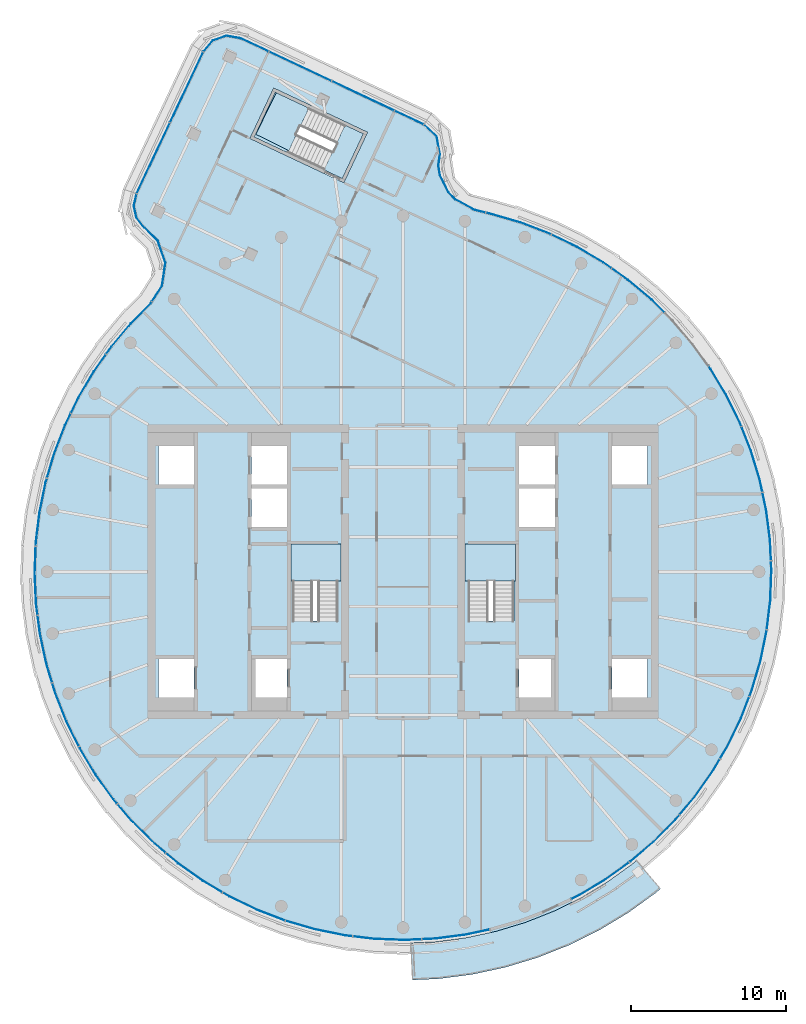
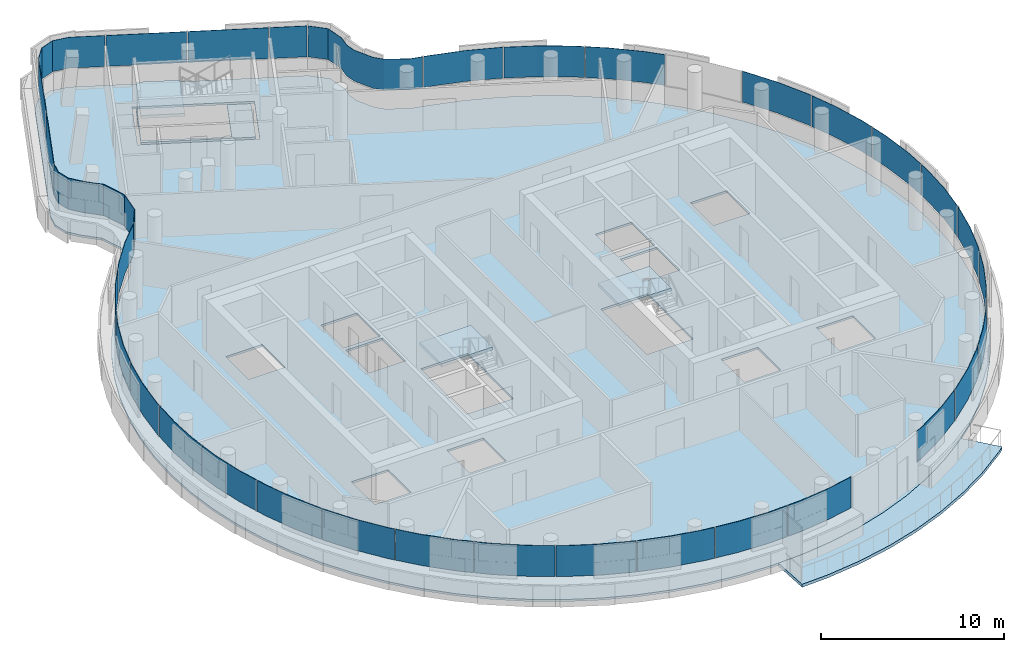
# One storey, part 12 of 21: 34 plates, 6 slabs, 6 elements without a shape of their own.
"""IFC4 building model written with IfcOpenShell, lengths in metres."""

from ifc_helpers import new_model, si_unit, direction, frame, origin, place, context, subcontext, project, spatial, polyline, outline, extrude, material, layer, layer_set, type_object, element, aggregate, save


model = new_model("IFC4")

# Units and contexts
model_context = context("Model", 3, precision=1e-05, world=origin(), true_north=direction((0.0, 1.0)))
body_context = subcontext(model_context, "Body", "Model", "MODEL_VIEW")
ifc_project = project(units=[si_unit("LENGTHUNIT", "METRE"), si_unit("AREAUNIT", "SQUARE_METRE"), si_unit("VOLUMEUNIT", "CUBIC_METRE"), si_unit("PLANEANGLEUNIT", "RADIAN"), si_unit("MASSUNIT", "GRAM", prefix="KILO")], contexts=[model_context])

# Site, building, storey
site_placement = place(None, origin())
site = spatial("IfcSite", under=ifc_project, at=site_placement, CompositionType="ELEMENT")
building_placement = place(site_placement, origin())
building = spatial("IfcBuilding", under=site, at=building_placement, Name="Tamarind Cross Interchange Tower", CompositionType="ELEMENT")
storey_placement = place(building_placement, frame((0.0, 0.0, 267.60009765625)))
storey = spatial("IfcBuildingStorey", under=building, at=storey_placement, Name="L68", CompositionType="ELEMENT", Elevation=267.60009765625)

# Slabs
ifc_material_1 = material(Name="Precast concrete C40", Category="concrete")
ifc_layer_1 = layer(ifc_material_1, 0.199951171875)
ifc_layer_set_1 = layer_set([ifc_layer_1], Name="Precast concrete C40")
slab_type_1 = type_object("IfcSlabType", Name="Balcony slab", PredefinedType="BASESLAB", material=ifc_layer_set_1)
slab_1_placement = place(storey_placement, frame((0.0, 0.0, -0.2001953125)))
element("IfcSlab", 1, at=slab_1_placement, inside=storey, type_object=slab_type_1, Name="SLB-L68-BAL01", PredefinedType="BASESLAB", context=body_context, shape_type="SweptSolid", body=[
    extrude(outline(polyline([(0.504638671875, -23.977294921875), (2.08447265625, -23.9052734375), (4.051513671875, -23.6513671875), (5.99072265625, -23.236083984375), (7.88916015625, -22.662109375), (9.733642578125, -21.93310546875), (11.511474609375, -21.054443359375), (13.2109375, -20.031982421875), (14.820068359375, -18.87255859375), (15.064208984375, -18.663818359375), (16.623291015625, -20.488525390625), (16.303466796875, -20.76171875), (14.533203125, -22.037109375), (12.663818359375, -23.162109375), (10.7080078125, -24.128662109375), (8.6787109375, -24.9306640625), (6.59033203125, -25.56201171875), (4.45703125, -26.01904296875), (2.293212890625, -26.298095703125), (0.6142578125, -26.375), (0.504638671875, -23.977294921875)])), origin(), (0.0, 0.0, 1.0), 0.2001953125),
])
ifc_material_2 = material(Name="Concrete C35", Category="concrete")
ifc_layer_2 = layer(ifc_material_2, 0.139892578125)
ifc_layer_set_2 = layer_set([ifc_layer_2], Name="Concrete C35")
slab_type_2 = type_object("IfcSlabType", Name="Composite slab 140 Concrete C35", PredefinedType="FLOOR", material=ifc_layer_set_2)
slab_2_placement = place(storey_placement, frame((0.0, 0.0, -0.14013671875)))
element("IfcSlab", 2, at=slab_2_placement, inside=storey, type_object=slab_type_2, Name="Floor slab L68", PredefinedType="FLOOR", context=body_context, shape_type="SweptSolid", body=[
    extrude(outline(polyline([(2.3642578125, 28.193115234375), (1.45703125, 29.051513671875), (-10.4130859375, 34.642578125), (-11.431884765625, 34.826416015625), (-12.40625, 34.476318359375), (-13.07470703125, 33.685791015625), (-17.407470703125, 24.4873046875), (-17.59814453125, 23.6279296875), (-17.4013671875, 22.77001953125), (-16.855224609375, 22.07958984375), (-16.014404296875, 21.25732421875), (-15.556884765625, 19.93359375), (-15.7607421875, 18.548095703125), (-16.459716796875, 17.452392578125), (-17.72412109375, 16.17578125), (-18.99951171875, 14.656982421875), (-20.14501953125, 13.0380859375), (-21.15283203125, 11.329833984375), (-22.01611328125, 9.54443359375), (-22.72900390625, 7.693603515625), (-23.286865234375, 5.79052734375), (-23.685546875, 3.84765625), (-23.92236328125, 1.878662109375), (-23.99560546875, -0.103271484375), (-23.9052734375, -2.08447265625), (-23.651611328125, -4.051513671875), (-23.236083984375, -5.99072265625), (-22.662109375, -7.88916015625), (-21.93310546875, -9.7333984375), (-21.054443359375, -11.511474609375), (-20.031982421875, -13.2109375), (-18.87255859375, -14.820068359375), (-17.584228515625, -16.327880859375), (-16.17578125, -17.72412109375), (-14.656982421875, -18.99951171875), (-13.0380859375, -20.14501953125), (-11.329833984375, -21.15283203125), (-9.54443359375, -22.01611328125), (-7.693603515625, -22.72900390625), (-5.79052734375, -23.286865234375), (-3.84765625, -23.685546875), (-1.878662109375, -23.92236328125), (0.103271484375, -23.99560546875), (2.08447265625, -23.9052734375), (4.051513671875, -23.651611328125), (5.99072265625, -23.236083984375), (7.88916015625, -22.662109375), (9.7333984375, -21.93310546875), (11.511474609375, -21.054443359375), (13.2109375, -20.031982421875), (14.820068359375, -18.87255859375), (16.327880859375, -17.584228515625), (17.72412109375, -16.17578125), (18.99951171875, -14.656982421875), (20.14501953125, -13.0380859375), (21.15283203125, -11.329833984375), (22.01611328125, -9.54443359375), (22.72900390625, -7.693603515625), (23.286865234375, -5.79052734375), (23.685546875, -3.84765625), (23.92236328125, -1.878662109375), (23.99560546875, 0.103271484375), (23.9052734375, 2.08447265625), (23.651611328125, 4.051513671875), (23.236083984375, 5.99072265625), (22.662109375, 7.88916015625), (21.93310546875, 9.7333984375), (21.054443359375, 11.511474609375), (20.031982421875, 13.2109375), (18.87255859375, 14.820068359375), (17.584228515625, 16.327880859375), (16.17578125, 17.72412109375), (14.656982421875, 18.99951171875), (13.0380859375, 20.14501953125), (11.329833984375, 21.15283203125), (9.54443359375, 22.01611328125), (7.693603515625, 22.72900390625), (5.79052734375, 23.286865234375), (4.656982421875, 23.570068359375), (3.500244140625, 24.213134765625), (3.100341796875, 24.631591796875), (2.578369140625, 25.68017578125), (2.4853515625, 26.25146484375), (2.58544921875, 26.964111328125), (2.3642578125, 28.193115234375)]), holes=[polyline([(-13.5, -5.625), (-13.5, -8.125), (-15.800048828125, -8.125), (-15.800048828125, -5.625), (-13.5, -5.625)]), polyline([(-7.5, -5.625), (-7.5, -8.125), (-9.800048828125, -8.125), (-9.800048828125, -5.625), (-7.5, -5.625)]), polyline([(-7.14990234375, 1.800048828125), (-4.199951171875, 1.800048828125), (-4.199951171875, -3.18798828125), (-7.14990234375, -3.18798828125), (-7.14990234375, 1.800048828125)]), polyline([(-7.5, 5.375), (-7.5, 2.875), (-9.800048828125, 2.875), (-9.800048828125, 5.375), (-7.5, 5.375)]), polyline([(-13.5, 8.125), (-13.5, 5.625), (-15.800048828125, 5.625), (-15.800048828125, 8.125), (-13.5, 8.125)]), polyline([(-7.5, 8.125), (-7.5, 5.625), (-9.800048828125, 5.625), (-9.800048828125, 8.125), (-7.5, 8.125)]), polyline([(-9.89208984375, 27.986083984375), (-9.806884765625, 28.1669921875), (-8.443359375, 31.06201171875), (-8.358154296875, 31.242919921875), (-8.099609375, 31.12109375), (-8.097412109375, 31.1259765625), (-7.837646484375, 30.997802734375), (-2.296875, 28.3876953125), (-2.382080078125, 28.206787109375), (-3.745849609375, 25.31201171875), (-3.8310546875, 25.131103515625), (-9.89208984375, 27.986083984375)]), polyline([(7.5, -8.125), (7.5, -5.625), (9.800048828125, -5.625), (9.800048828125, -8.125), (7.5, -8.125)]), polyline([(13.5, -8.125), (13.5, -5.625), (15.800048828125, -5.625), (15.800048828125, -8.125), (13.5, -8.125)]), polyline([(4.199951171875, 1.800048828125), (7.14990234375, 1.800048828125), (7.14990234375, -3.18798828125), (4.199951171875, -3.18798828125), (4.199951171875, 1.800048828125)]), polyline([(7.5, 2.875), (7.5, 5.375), (9.800048828125, 5.375), (9.800048828125, 2.875), (7.5, 2.875)]), polyline([(7.5, 5.625), (7.5, 8.125), (9.800048828125, 8.125), (9.800048828125, 5.625), (7.5, 5.625)]), polyline([(13.5, 5.625), (13.5, 8.125), (15.800048828125, 8.125), (15.800048828125, 5.625), (13.5, 5.625)])]), origin(), (0.0, 0.0, 1.0), 0.14013671875),
])
slab_3_placement = place(storey_placement, frame((0.0, 0.0, -0.14013671875)))
element("IfcSlab", 3, at=slab_3_placement, inside=storey, type_object=slab_type_2, Name="Floor slab L68", PredefinedType="FLOOR", context=body_context, shape_type="SweptSolid", body=[
    extrude(outline(polyline([(-8.262451171875, 30.976806640625), (-9.626220703125, 28.081787109375), (-3.9267578125, 25.397216796875), (-2.56298828125, 28.2919921875), (-3.75, 28.851318359375), (-5.064453125, 26.060546875), (-9.513671875, 28.25634765625), (-8.188232421875, 30.94189453125), (-8.262451171875, 30.976806640625)])), origin(), (0.0, 0.0, 1.0), 0.14013671875),
])

# Stair, slab
ifc_material_3 = material(Name="Exit stair")
stair_type = type_object("IfcStairType", Name="Exit stair", PredefinedType="HALF_TURN_STAIR", material=ifc_material_3)
stair_1_placement = place(storey_placement, origin())
stair_1 = element("IfcStair", 4, at=stair_1_placement, inside=storey, type_object=stair_type, Name="L68 exit stair ST1", PredefinedType="HALF_TURN_STAIR")
ifc_material_4 = material(Name="Concrete C40", Category="concrete")
ifc_layer_3 = layer(ifc_material_4, 0.199951171875)
ifc_layer_set_3 = layer_set([ifc_layer_3], Name="Concrete C40")
slab_type_3 = type_object("IfcSlabType", Name="Stair landing", PredefinedType="LANDING", material=ifc_layer_set_3)
slab_4_placement = place(storey_placement, frame((0.0, 0.0, 1.599853515625)))
slab_4 = element("IfcSlab", 5, at=slab_4_placement, type_object=slab_type_3, Name="ST1 landing 1", PredefinedType="LANDING", context=body_context, shape_type="SweptSolid", body=[
    extrude(outline(polyline([(-4.0, -0.60009765625), (-4.0, 1.800048828125), (-7.25, 1.800048828125), (-7.25, -0.60009765625), (-4.0, -0.60009765625)])), origin(), (0.0, 0.0, 1.0), 0.199951171875),
])
aggregate(stair_1, [slab_4])

stair_2_placement = place(storey_placement, origin())
stair_2 = element("IfcStair", 6, at=stair_2_placement, inside=storey, type_object=stair_type, Name="L68 exit stair ST2", PredefinedType="HALF_TURN_STAIR")
slab_5_placement = place(storey_placement, frame((0.0, 0.0, 1.599853515625)))
slab_5 = element("IfcSlab", 7, at=slab_5_placement, type_object=slab_type_3, Name="ST2 landing 1", PredefinedType="LANDING", context=body_context, shape_type="SweptSolid", body=[
    extrude(outline(polyline([(7.25, -0.60009765625), (7.25, 1.800048828125), (4.0, 1.800048828125), (4.0, -0.60009765625), (7.25, -0.60009765625)])), origin(), (0.0, 0.0, 1.0), 0.199951171875),
])
aggregate(stair_2, [slab_5])

stair_3_placement = place(storey_placement, origin())
stair_3 = element("IfcStair", 8, at=stair_3_placement, inside=storey, type_object=stair_type, Name="L68 exit stair ST4", PredefinedType="HALF_TURN_STAIR")
slab_6_placement = place(storey_placement, frame((0.0, 0.0, 1.599853515625)))
slab_6 = element("IfcSlab", 9, at=slab_6_placement, type_object=slab_type_3, Name="ST4 landing 1", PredefinedType="LANDING", context=body_context, shape_type="SweptSolid", body=[
    extrude(outline(polyline([(-6.080322265625, 29.948974609375), (-8.262451171875, 30.976806640625), (-9.6259765625, 28.081787109375), (-7.444091796875, 27.053955078125), (-6.080322265625, 29.948974609375)])), origin(), (0.0, 0.0, 1.0), 0.199951171875),
])
aggregate(stair_3, [slab_6])

# Curtain wall, plates
ifc_material_5 = material(Name="Aluminium 6063-T6", Category="aluminium")
ifc_layer_4 = layer(ifc_material_5, 0.139892578125)
ifc_layer_set_4 = layer_set([ifc_layer_4], Name="Aluminium 6063-T6")
curtain_wall_type = type_object("IfcCurtainWallType", Name="Hotel curtain wall, 4.5 m bays", PredefinedType="NOTDEFINED", material=ifc_layer_set_4)
curtain_wall_1_placement = place(storey_placement, origin())
curtain_wall_1 = element("IfcCurtainWall", 10, at=curtain_wall_1_placement, inside=storey, type_object=curtain_wall_type, Name="CWS-L68-00", PredefinedType="NOTDEFINED")
ifc_material_6 = material(Name="Laminated low-e glass 6+1.52+6", Category="glass")
ifc_layer_5 = layer(ifc_material_6, 0.02392578125)
ifc_layer_set_5 = layer_set([ifc_layer_5], Name="Laminated low-e glass 6+1.52+6")
plate_type = type_object("IfcPlateType", Name="Vision panel CW2", PredefinedType="CURTAIN_PANEL", material=ifc_layer_set_5)
plate_1_placement = place(storey_placement, frame((0.0, 0.0, 1.39990234375)))
plate_1 = element("IfcPlate", 11, at=plate_1_placement, type_object=plate_type, Name="CWP-L68-00-00", PredefinedType="CURTAIN_PANEL", context=body_context, shape_type="SweptSolid", body=[
    extrude(outline(polyline([(-12.906982421875, 33.54443359375), (-15.037353515625, 29.021484375), (-15.05908203125, 29.03173828125), (-12.9287109375, 33.5546875), (-12.906982421875, 33.54443359375)])), origin(), (0.0, 0.0, 1.0), 2.06005859375),
])
plate_2_placement = place(storey_placement, frame((0.0, 0.0, 1.39990234375)))
plate_2 = element("IfcPlate", 12, at=plate_2_placement, type_object=plate_type, Name="CWP-L68-00-01", PredefinedType="CURTAIN_PANEL", context=body_context, shape_type="SweptSolid", body=[
    extrude(outline(polyline([(-15.06298828125, 28.96728515625), (-17.193359375, 24.4443359375), (-17.215087890625, 24.45458984375), (-15.084716796875, 28.9775390625), (-15.06298828125, 28.96728515625)])), origin(), (0.0, 0.0, 1.0), 2.06005859375),
])
aggregate(curtain_wall_1, [plate_1, plate_2])

curtain_wall_2_placement = place(storey_placement, origin())
curtain_wall_2 = element("IfcCurtainWall", 13, at=curtain_wall_2_placement, inside=storey, type_object=curtain_wall_type, Name="CWS-L68-01", PredefinedType="NOTDEFINED")
plate_3_placement = place(storey_placement, frame((0.0, 0.0, 1.39990234375)))
plate_3 = element("IfcPlate", 14, at=plate_3_placement, type_object=plate_type, Name="CWP-L68-01-00", PredefinedType="CURTAIN_PANEL", context=body_context, shape_type="SweptSolid", body=[
    extrude(outline(polyline([(-17.2119140625, 24.390380859375), (-17.380859375, 23.62890625), (-17.205322265625, 22.864013671875), (-16.697509765625, 22.2216796875), (-15.830322265625, 21.3740234375), (-15.339599609375, 19.9541015625), (-15.5576171875, 18.47216796875), (-16.204345703125, 17.458251953125), (-16.224609375, 17.47119140625), (-15.580810546875, 18.48095703125), (-15.3642578125, 19.95166015625), (-15.851318359375, 21.36083984375), (-16.71533203125, 22.20556640625), (-17.2275390625, 22.853515625), (-17.405517578125, 23.628662109375), (-17.2353515625, 24.395751953125), (-17.2119140625, 24.390380859375)])), origin(), (0.0, 0.0, 1.0), 2.06005859375),
])
plate_4_placement = place(storey_placement, frame((0.0, 0.0, 1.39990234375)))
plate_4 = element("IfcPlate", 15, at=plate_4_placement, type_object=plate_type, Name="CWP-L68-01-01", PredefinedType="CURTAIN_PANEL", context=body_context, shape_type="SweptSolid", body=[
    extrude(outline(polyline([(-16.23681640625, 17.40771484375), (-16.29296875, 17.3193359375), (-17.5673828125, 16.032958984375), (-18.83154296875, 14.52734375), (-19.15478515625, 14.0703125), (-19.174560546875, 14.083984375), (-18.850341796875, 14.5419921875), (-17.585205078125, 16.049072265625), (-16.31201171875, 17.33447265625), (-16.2568359375, 17.420654296875), (-16.23681640625, 17.40771484375)])), origin(), (0.0, 0.0, 1.0), 2.06005859375),
])
plate_5_placement = place(storey_placement, frame((0.0, 0.0, 1.39990234375)))
plate_5 = element("IfcPlate", 16, at=plate_5_placement, type_object=plate_type, Name="CWP-L68-01-02", PredefinedType="CURTAIN_PANEL", context=body_context, shape_type="SweptSolid", body=[
    extrude(outline(polyline([(-19.189453125, 14.021240234375), (-19.966796875, 12.922607421875), (-20.9658203125, 11.229736328125), (-21.44189453125, 10.2451171875), (-21.46337890625, 10.255615234375), (-20.98681640625, 11.240966796875), (-19.987060546875, 12.935791015625), (-19.209228515625, 14.03515625), (-19.189453125, 14.021240234375)])), origin(), (0.0, 0.0, 1.0), 2.06005859375),
])
plate_6_placement = place(storey_placement, frame((0.0, 0.0, 1.39990234375)))
plate_6 = element("IfcPlate", 17, at=plate_6_placement, type_object=plate_type, Name="CWP-L68-01-03", PredefinedType="CURTAIN_PANEL", context=body_context, shape_type="SweptSolid", body=[
    extrude(outline(polyline([(-21.468017578125, 10.191162109375), (-21.821533203125, 9.4599609375), (-22.528076171875, 7.625732421875), (-22.98583984375, 6.06396484375), (-23.0087890625, 6.070556640625), (-22.55078125, 7.63330078125), (-21.843505859375, 9.469482421875), (-21.489501953125, 10.201416015625), (-21.468017578125, 10.191162109375)])), origin(), (0.0, 0.0, 1.0), 2.06005859375),
])
plate_7_placement = place(storey_placement, frame((0.0, 0.0, 1.39990234375)))
plate_7 = element("IfcPlate", 18, at=plate_7_placement, type_object=plate_type, Name="CWP-L68-01-04", PredefinedType="CURTAIN_PANEL", context=body_context, shape_type="SweptSolid", body=[
    extrude(outline(polyline([(-23.002685546875, 6.00634765625), (-23.080810546875, 5.7392578125), (-23.47607421875, 3.813720703125), (-23.710693359375, 1.862060546875), (-23.718017578125, 1.668212890625), (-23.741943359375, 1.669189453125), (-23.734619140625, 1.864013671875), (-23.499755859375, 3.817626953125), (-23.104248046875, 5.7451171875), (-23.025634765625, 6.01318359375), (-23.002685546875, 6.00634765625)])), origin(), (0.0, 0.0, 1.0), 2.06005859375),
])
plate_8_placement = place(storey_placement, frame((0.0, 0.0, 1.39990234375)))
plate_8 = element("IfcPlate", 19, at=plate_8_placement, type_object=plate_type, Name="CWP-L68-01-05", PredefinedType="CURTAIN_PANEL", context=body_context, shape_type="SweptSolid", body=[
    extrude(outline(polyline([(-23.72021484375, 1.6083984375), (-23.783447265625, -0.102294921875), (-23.69384765625, -2.06591796875), (-23.600830078125, -2.78759765625), (-23.62451171875, -2.790771484375), (-23.7177734375, -2.068115234375), (-23.8076171875, -0.1025390625), (-23.744140625, 1.609130859375), (-23.72021484375, 1.6083984375)])), origin(), (0.0, 0.0, 1.0), 2.06005859375),
])
plate_9_placement = place(storey_placement, frame((0.0, 0.0, 1.39990234375)))
plate_9 = element("IfcPlate", 20, at=plate_9_placement, type_object=plate_type, Name="CWP-L68-01-06", PredefinedType="CURTAIN_PANEL", context=body_context, shape_type="SweptSolid", body=[
    extrude(outline(polyline([(-23.593017578125, -2.84716796875), (-23.4423828125, -4.015625), (-23.03076171875, -5.937744140625), (-22.66552734375, -7.14501953125), (-22.6884765625, -7.152099609375), (-23.053955078125, -5.94384765625), (-23.466064453125, -4.019775390625), (-23.616943359375, -2.85009765625), (-23.593017578125, -2.84716796875)])), origin(), (0.0, 0.0, 1.0), 2.06005859375),
])
plate_10_placement = place(storey_placement, frame((0.0, 0.0, 1.39990234375)))
plate_10 = element("IfcPlate", 21, at=plate_10_placement, type_object=plate_type, Name="CWP-L68-01-07", PredefinedType="CURTAIN_PANEL", context=body_context, shape_type="SweptSolid", body=[
    extrude(outline(polyline([(-22.648193359375, -7.202392578125), (-22.461669921875, -7.8193359375), (-21.7392578125, -9.6474609375), (-20.944091796875, -11.256591796875), (-20.965576171875, -11.267333984375), (-21.76123046875, -9.6572265625), (-22.484375, -7.8271484375), (-22.671142578125, -7.20947265625), (-22.648193359375, -7.202392578125)])), origin(), (0.0, 0.0, 1.0), 2.06005859375),
])
plate_11_placement = place(storey_placement, frame((0.0, 0.0, 1.39990234375)))
plate_11 = element("IfcPlate", 22, at=plate_11_placement, type_object=plate_type, Name="CWP-L68-01-08", PredefinedType="CURTAIN_PANEL", context=body_context, shape_type="SweptSolid", body=[
    extrude(outline(polyline([(-20.91748046875, -11.310302734375), (-20.868408203125, -11.40966796875), (-19.854736328125, -13.093994140625), (-18.705810546875, -14.68896484375), (-18.470947265625, -14.963623046875), (-18.4892578125, -14.979248046875), (-18.724609375, -14.703857421875), (-19.874755859375, -13.107177734375), (-20.889404296875, -11.421142578125), (-20.93896484375, -11.321044921875), (-20.91748046875, -11.310302734375)])), origin(), (0.0, 0.0, 1.0), 2.06005859375),
])
plate_12_placement = place(storey_placement, frame((0.0, 0.0, 1.39990234375)))
plate_12 = element("IfcPlate", 23, at=plate_12_placement, type_object=plate_type, Name="CWP-L68-01-09", PredefinedType="CURTAIN_PANEL", context=body_context, shape_type="SweptSolid", body=[
    extrude(outline(polyline([(-18.431884765625, -15.00927734375), (-17.4287109375, -16.183349609375), (-16.032958984375, -17.5673828125), (-15.347412109375, -18.14306640625), (-15.36279296875, -18.161376953125), (-16.049072265625, -17.585205078125), (-17.4462890625, -16.19970703125), (-18.4501953125, -15.02490234375), (-18.431884765625, -15.00927734375)])), origin(), (0.0, 0.0, 1.0), 2.06005859375),
])
plate_13_placement = place(storey_placement, frame((0.0, 0.0, 1.39990234375)))
plate_13 = element("IfcPlate", 24, at=plate_13_placement, type_object=plate_type, Name="CWP-L68-01-10", PredefinedType="CURTAIN_PANEL", context=body_context, shape_type="SweptSolid", body=[
    extrude(outline(polyline([(-15.30126953125, -18.181640625), (-14.52734375, -18.83154296875), (-12.922607421875, -19.966796875), (-11.692138671875, -20.69287109375), (-11.7041015625, -20.713623046875), (-12.935791015625, -19.987060546875), (-14.5419921875, -18.850341796875), (-15.31689453125, -18.199951171875), (-15.30126953125, -18.181640625)])), origin(), (0.0, 0.0, 1.0), 2.06005859375),
])
plate_14_placement = place(storey_placement, frame((0.0, 0.0, 1.39990234375)))
plate_14 = element("IfcPlate", 25, at=plate_14_placement, type_object=plate_type, Name="CWP-L68-01-11", PredefinedType="CURTAIN_PANEL", context=body_context, shape_type="SweptSolid", body=[
    extrude(outline(polyline([(-11.640380859375, -20.723388671875), (-11.229736328125, -20.9658203125), (-9.4599609375, -21.821533203125), (-7.629150390625, -22.52685546875), (-7.6376953125, -22.54931640625), (-9.469482421875, -21.843505859375), (-11.240966796875, -20.98681640625), (-11.652587890625, -20.744140625), (-11.640380859375, -20.723388671875)])), origin(), (0.0, 0.0, 1.0), 2.06005859375),
])
plate_15_placement = place(storey_placement, frame((0.0, 0.0, 1.39990234375)))
plate_15 = element("IfcPlate", 26, at=plate_15_placement, type_object=plate_type, Name="CWP-L68-01-12", PredefinedType="CURTAIN_PANEL", context=body_context, shape_type="SweptSolid", body=[
    extrude(outline(polyline([(-7.572509765625, -22.543701171875), (-5.7392578125, -23.080810546875), (-3.813720703125, -23.47607421875), (-3.28857421875, -23.5390625), (-3.29150390625, -23.56298828125), (-3.817626953125, -23.499755859375), (-5.7451171875, -23.104248046875), (-7.579345703125, -22.566650390625), (-7.572509765625, -22.543701171875)])), origin(), (0.0, 0.0, 1.0), 2.06005859375),
])
plate_16_placement = place(storey_placement, frame((0.0, 0.0, 1.39990234375)))
plate_16 = element("IfcPlate", 27, at=plate_16_placement, type_object=plate_type, Name="CWP-L68-01-13", PredefinedType="CURTAIN_PANEL", context=body_context, shape_type="SweptSolid", body=[
    extrude(outline(polyline([(-3.22900390625, -23.54638671875), (-1.862060546875, -23.710693359375), (0.102294921875, -23.783447265625), (1.163818359375, -23.735107421875), (1.1650390625, -23.759033203125), (0.1025390625, -23.8076171875), (-1.864013671875, -23.734619140625), (-3.23193359375, -23.570068359375), (-3.22900390625, -23.54638671875)])), origin(), (0.0, 0.0, 1.0), 2.06005859375),
])
plate_17_placement = place(storey_placement, frame((0.0, 0.0, 1.39990234375)))
plate_17 = element("IfcPlate", 28, at=plate_17_placement, type_object=plate_type, Name="CWP-L68-01-14", PredefinedType="CURTAIN_PANEL", context=body_context, shape_type="SweptSolid", body=[
    extrude(outline(polyline([(1.223876953125, -23.732421875), (2.06591796875, -23.69384765625), (4.015625, -23.4423828125), (5.576416015625, -23.10791015625), (5.58154296875, -23.131591796875), (4.019775390625, -23.466064453125), (2.068115234375, -23.7177734375), (1.224853515625, -23.75634765625), (1.223876953125, -23.732421875)])), origin(), (0.0, 0.0, 1.0), 2.06005859375),
])
plate_18_placement = place(storey_placement, frame((0.0, 0.0, 1.39990234375)))
plate_18 = element("IfcPlate", 29, at=plate_18_placement, type_object=plate_type, Name="CWP-L68-01-16", PredefinedType="CURTAIN_PANEL", context=body_context, shape_type="SweptSolid", body=[
    extrude(outline(polyline([(10.87158203125, -21.13427734375), (11.40966796875, -20.868408203125), (13.093994140625, -19.854736328125), (14.586181640625, -18.77978515625), (14.60009765625, -18.79931640625), (13.107177734375, -19.874755859375), (11.421142578125, -20.889404296875), (10.88232421875, -21.15576171875), (10.87158203125, -21.13427734375)])), origin(), (0.0, 0.0, 1.0), 2.06005859375),
])
plate_19_placement = place(storey_placement, frame((0.0, 0.0, 1.39990234375)))
plate_19 = element("IfcPlate", 30, at=plate_19_placement, type_object=plate_type, Name="CWP-L68-01-17", PredefinedType="CURTAIN_PANEL", context=body_context, shape_type="SweptSolid", body=[
    extrude(outline(polyline([(14.634765625, -18.74462890625), (14.68896484375, -18.705810546875), (16.183349609375, -17.4287109375), (17.5673828125, -16.032958984375), (17.828369140625, -15.72216796875), (17.8466796875, -15.737548828125), (17.585205078125, -16.049072265625), (16.19970703125, -17.4462890625), (14.703857421875, -18.724609375), (14.64892578125, -18.76416015625), (14.634765625, -18.74462890625)])), origin(), (0.0, 0.0, 1.0), 2.06005859375),
])
plate_20_placement = place(storey_placement, frame((0.0, 0.0, 1.39990234375)))
plate_20 = element("IfcPlate", 31, at=plate_20_placement, type_object=plate_type, Name="CWP-L68-01-18", PredefinedType="CURTAIN_PANEL", context=body_context, shape_type="SweptSolid", body=[
    extrude(outline(polyline([(17.866943359375, -15.67626953125), (18.83154296875, -14.52734375), (19.966796875, -12.922607421875), (20.444091796875, -12.11376953125), (20.46484375, -12.1259765625), (19.987060546875, -12.935791015625), (18.850341796875, -14.5419921875), (17.88525390625, -15.691650390625), (17.866943359375, -15.67626953125)])), origin(), (0.0, 0.0, 1.0), 2.06005859375),
])
plate_21_placement = place(storey_placement, frame((0.0, 0.0, 1.39990234375)))
plate_21 = element("IfcPlate", 32, at=plate_21_placement, type_object=plate_type, Name="CWP-L68-01-19", PredefinedType="CURTAIN_PANEL", context=body_context, shape_type="SweptSolid", body=[
    extrude(outline(polyline([(20.474609375, -12.06201171875), (20.9658203125, -11.229736328125), (21.821533203125, -9.4599609375), (22.35107421875, -8.08544921875), (22.37353515625, -8.093994140625), (21.843505859375, -9.469482421875), (20.98681640625, -11.240966796875), (20.495361328125, -12.07421875), (20.474609375, -12.06201171875)])), origin(), (0.0, 0.0, 1.0), 2.06005859375),
])
plate_22_placement = place(storey_placement, frame((0.0, 0.0, 1.39990234375)))
plate_22 = element("IfcPlate", 33, at=plate_22_placement, type_object=plate_type, Name="CWP-L68-01-20", PredefinedType="CURTAIN_PANEL", context=body_context, shape_type="SweptSolid", body=[
    extrude(outline(polyline([(22.37255859375, -8.029296875), (22.528076171875, -7.625732421875), (23.080810546875, -5.7392578125), (23.47607421875, -3.813720703125), (23.480712890625, -3.7744140625), (23.504638671875, -3.77734375), (23.499755859375, -3.817626953125), (23.104248046875, -5.7451171875), (22.55078125, -7.63330078125), (22.39501953125, -8.0380859375), (22.37255859375, -8.029296875)])), origin(), (0.0, 0.0, 1.0), 2.06005859375),
])
plate_23_placement = place(storey_placement, frame((0.0, 0.0, 1.39990234375)))
plate_23 = element("IfcPlate", 34, at=plate_23_placement, type_object=plate_type, Name="CWP-L68-01-21", PredefinedType="CURTAIN_PANEL", context=body_context, shape_type="SweptSolid", body=[
    extrude(outline(polyline([(23.48779296875, -3.71484375), (23.710693359375, -1.862060546875), (23.783447265625, 0.102294921875), (23.75732421875, 0.6748046875), (23.781494140625, 0.676025390625), (23.8076171875, 0.1025390625), (23.734619140625, -1.864013671875), (23.51171875, -3.7177734375), (23.48779296875, -3.71484375)])), origin(), (0.0, 0.0, 1.0), 2.06005859375),
])
plate_24_placement = place(storey_placement, frame((0.0, 0.0, 1.39990234375)))
plate_24 = element("IfcPlate", 35, at=plate_24_placement, type_object=plate_type, Name="CWP-L68-01-22", PredefinedType="CURTAIN_PANEL", context=body_context, shape_type="SweptSolid", body=[
    extrude(outline(polyline([(23.754638671875, 0.73486328125), (23.69384765625, 2.06591796875), (23.4423828125, 4.015625), (23.21044921875, 5.097900390625), (23.23388671875, 5.10302734375), (23.466064453125, 4.019775390625), (23.7177734375, 2.068115234375), (23.778564453125, 0.73583984375), (23.754638671875, 0.73486328125)])), origin(), (0.0, 0.0, 1.0), 2.06005859375),
])
plate_25_placement = place(storey_placement, frame((0.0, 0.0, 1.39990234375)))
plate_25 = element("IfcPlate", 36, at=plate_25_placement, type_object=plate_type, Name="CWP-L68-01-23", PredefinedType="CURTAIN_PANEL", context=body_context, shape_type="SweptSolid", body=[
    extrude(outline(polyline([(23.197998046875, 5.15673828125), (23.03076171875, 5.937744140625), (22.461669921875, 7.8193359375), (21.858642578125, 9.34521484375), (21.881103515625, 9.35400390625), (22.484375, 7.8271484375), (23.053955078125, 5.94384765625), (23.221435546875, 5.16162109375), (23.197998046875, 5.15673828125)])), origin(), (0.0, 0.0, 1.0), 2.06005859375),
])
plate_26_placement = place(storey_placement, frame((0.0, 0.0, 1.39990234375)))
plate_26 = element("IfcPlate", 37, at=plate_26_placement, type_object=plate_type, Name="CWP-L68-01-24", PredefinedType="CURTAIN_PANEL", context=body_context, shape_type="SweptSolid", body=[
    extrude(outline(polyline([(21.836669921875, 9.40087890625), (21.7392578125, 9.6474609375), (20.868408203125, 11.40966796875), (19.854736328125, 13.093994140625), (19.73388671875, 13.261962890625), (19.753173828125, 13.276123046875), (19.874755859375, 13.107177734375), (20.889404296875, 11.421142578125), (21.76123046875, 9.6572265625), (21.85888671875, 9.40966796875), (21.836669921875, 9.40087890625)])), origin(), (0.0, 0.0, 1.0), 2.06005859375),
])
plate_27_placement = place(storey_placement, frame((0.0, 0.0, 1.39990234375)))
plate_27 = element("IfcPlate", 38, at=plate_27_placement, type_object=plate_type, Name="CWP-L68-01-26", PredefinedType="CURTAIN_PANEL", context=body_context, shape_type="SweptSolid", body=[
    extrude(outline(polyline([(16.860107421875, 16.7470703125), (16.032958984375, 17.5673828125), (14.52734375, 18.83154296875), (13.487060546875, 19.567626953125), (13.5009765625, 19.587158203125), (14.5419921875, 18.850341796875), (16.049072265625, 17.585205078125), (16.877197265625, 16.76416015625), (16.860107421875, 16.7470703125)])), origin(), (0.0, 0.0, 1.0), 2.06005859375),
])
plate_28_placement = place(storey_placement, frame((0.0, 0.0, 1.39990234375)))
plate_28 = element("IfcPlate", 39, at=plate_28_placement, type_object=plate_type, Name="CWP-L68-01-27", PredefinedType="CURTAIN_PANEL", context=body_context, shape_type="SweptSolid", body=[
    extrude(outline(polyline([(13.43798828125, 19.60205078125), (12.922607421875, 19.966796875), (11.229736328125, 20.9658203125), (9.60205078125, 21.752685546875), (9.612548828125, 21.7744140625), (11.240966796875, 20.98681640625), (12.935791015625, 19.987060546875), (13.451904296875, 19.621826171875), (13.43798828125, 19.60205078125)])), origin(), (0.0, 0.0, 1.0), 2.06005859375),
])
plate_29_placement = place(storey_placement, frame((0.0, 0.0, 1.39990234375)))
plate_29 = element("IfcPlate", 40, at=plate_29_placement, type_object=plate_type, Name="CWP-L68-01-28", PredefinedType="CURTAIN_PANEL", context=body_context, shape_type="SweptSolid", body=[
    extrude(outline(polyline([(9.5478515625, 21.77880859375), (9.4599609375, 21.821533203125), (7.625732421875, 22.528076171875), (5.73486328125, 23.082275390625), (5.360107421875, 23.17578125), (5.365966796875, 23.19921875), (5.7412109375, 23.105224609375), (7.63330078125, 22.55078125), (9.469482421875, 21.843505859375), (9.558349609375, 21.800537109375), (9.5478515625, 21.77880859375)])), origin(), (0.0, 0.0, 1.0), 2.06005859375),
])
plate_30_placement = place(storey_placement, frame((0.0, 0.0, 1.39990234375)))
plate_30 = element("IfcPlate", 41, at=plate_30_placement, type_object=plate_type, Name="CWP-L68-01-29", PredefinedType="CURTAIN_PANEL", context=body_context, shape_type="SweptSolid", body=[
    extrude(outline(polyline([(5.302001953125, 23.1904296875), (4.578369140625, 23.37109375), (3.369140625, 24.04345703125), (2.9248046875, 24.508544921875), (2.374267578125, 25.614501953125), (2.27099609375, 26.249267578125), (2.37060546875, 26.959716796875), (2.16796875, 28.0869140625), (1.3564453125, 28.854736328125), (1.372802734375, 28.8720703125), (2.190185546875, 28.098876953125), (2.39501953125, 26.960205078125), (2.295166015625, 26.24951171875), (2.397216796875, 25.621826171875), (2.944580078125, 24.5224609375), (3.3837890625, 24.062744140625), (4.58740234375, 23.393798828125), (5.3076171875, 23.213623046875), (5.302001953125, 23.1904296875)])), origin(), (0.0, 0.0, 1.0), 2.06005859375),
])
aggregate(curtain_wall_2, [plate_3, plate_4, plate_5, plate_6, plate_7, plate_8, plate_9, plate_10, plate_11, plate_12, plate_13, plate_14, plate_15, plate_16, plate_17, plate_18, plate_19, plate_20, plate_21, plate_22, plate_23, plate_24, plate_25, plate_26, plate_27, plate_28, plate_29, plate_30])

curtain_wall_3_placement = place(storey_placement, origin())
curtain_wall_3 = element("IfcCurtainWall", 42, at=curtain_wall_3_placement, inside=storey, type_object=curtain_wall_type, Name="CWS-L68-02", PredefinedType="NOTDEFINED")
plate_31_placement = place(storey_placement, frame((0.0, 0.0, 1.39990234375)))
plate_31 = element("IfcPlate", 43, at=plate_31_placement, type_object=plate_type, Name="CWP-L68-02-00", PredefinedType="CURTAIN_PANEL", context=body_context, shape_type="SweptSolid", body=[
    extrude(outline(polyline([(1.310546875, 28.885986328125), (-0.538330078125, 29.757080078125), (-0.528076171875, 29.77880859375), (1.32080078125, 28.90771484375), (1.310546875, 28.885986328125)])), origin(), (0.0, 0.0, 1.0), 2.06005859375),
])
plate_32_placement = place(storey_placement, frame((0.0, 0.0, 1.39990234375)))
plate_32 = element("IfcPlate", 44, at=plate_32_placement, type_object=plate_type, Name="CWP-L68-02-01", PredefinedType="CURTAIN_PANEL", context=body_context, shape_type="SweptSolid", body=[
    extrude(outline(polyline([(-0.5927734375, 29.782470703125), (-4.59130859375, 31.666015625), (-4.5810546875, 31.687744140625), (-0.58251953125, 29.80419921875), (-0.5927734375, 29.782470703125)])), origin(), (0.0, 0.0, 1.0), 2.06005859375),
])
plate_33_placement = place(storey_placement, frame((0.0, 0.0, 1.39990234375)))
plate_33 = element("IfcPlate", 45, at=plate_33_placement, type_object=plate_type, Name="CWP-L68-02-02", PredefinedType="CURTAIN_PANEL", context=body_context, shape_type="SweptSolid", body=[
    extrude(outline(polyline([(-4.645751953125, 31.691650390625), (-8.64404296875, 33.5751953125), (-8.634033203125, 33.596923828125), (-4.635498046875, 31.71337890625), (-4.645751953125, 31.691650390625)])), origin(), (0.0, 0.0, 1.0), 2.06005859375),
])
plate_34_placement = place(storey_placement, frame((0.0, 0.0, 1.39990234375)))
plate_34 = element("IfcPlate", 46, at=plate_34_placement, type_object=plate_type, Name="CWP-L68-02-03", PredefinedType="CURTAIN_PANEL", context=body_context, shape_type="SweptSolid", body=[
    extrude(outline(polyline([(-8.698486328125, 33.6005859375), (-10.478271484375, 34.43896484375), (-11.41357421875, 34.607666015625), (-12.281005859375, 34.2958984375), (-12.87646484375, 33.591796875), (-12.894775390625, 33.607177734375), (-12.295166015625, 34.31640625), (-11.415771484375, 34.632568359375), (-10.470947265625, 34.462158203125), (-8.688232421875, 33.622314453125), (-8.698486328125, 33.6005859375)])), origin(), (0.0, 0.0, 1.0), 2.06005859375),
])
aggregate(curtain_wall_3, [plate_31, plate_32, plate_33, plate_34])

save(model, "model.ifc")
